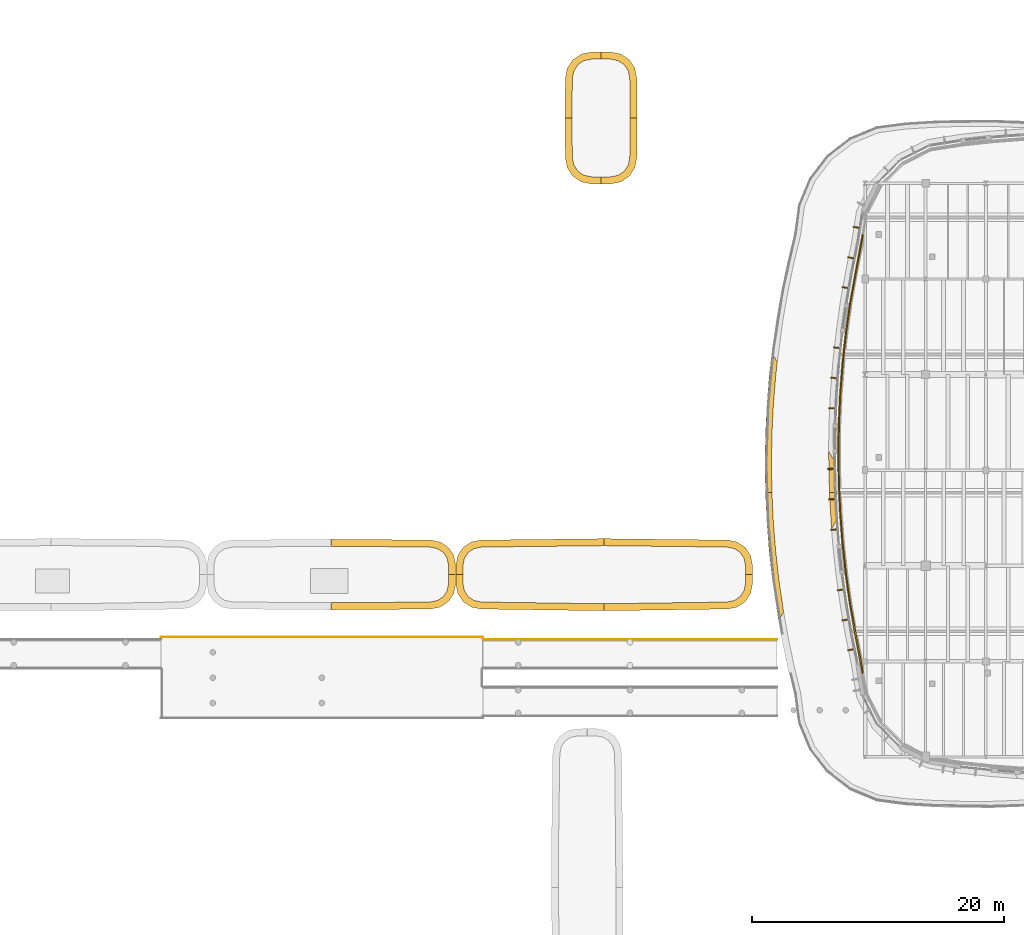
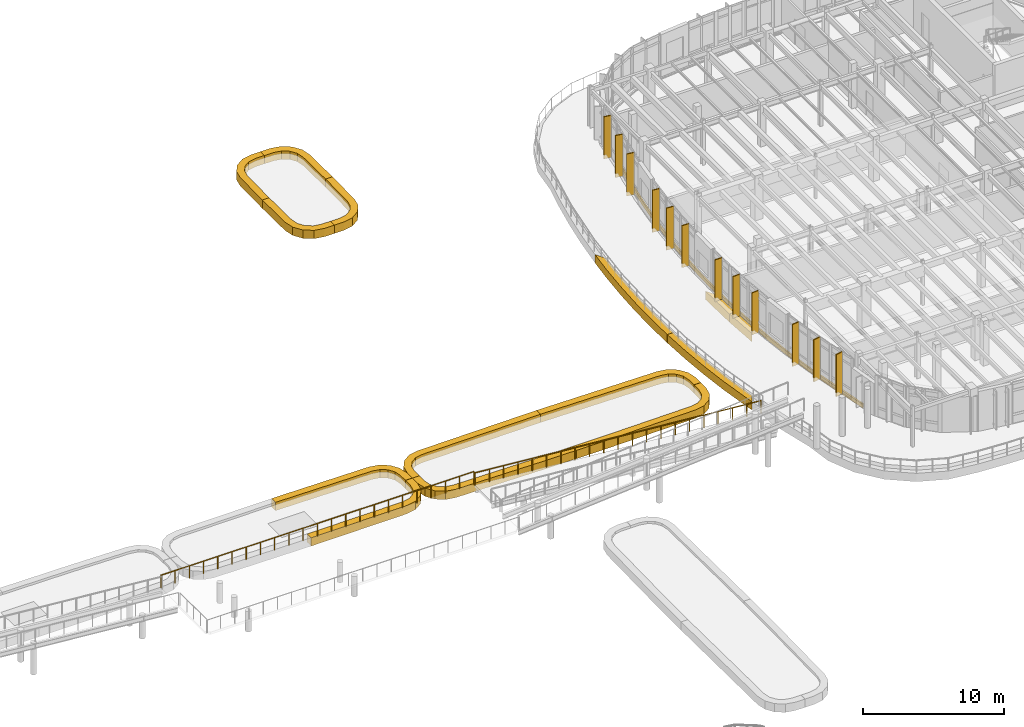
# One storey, part 106 of 111: 28 coverings, 2 railings.
"""IFC4 building model written with IfcOpenShell, lengths in metres."""

from ifc_helpers import new_model, si_unit, direction, frame, origin, origin_2d, place, context, subcontext, project, spatial, polyline, circle, outline, extrude, material, layer, layer_set, type_object, element, save


model = new_model("IFC4")

# Units and contexts
model_context = context("Model", 3, precision=1e-05, world=origin(), true_north=direction((0.0, 1.0)))
body_context = subcontext(model_context, "Body", "Model", "MODEL_VIEW")
ifc_project = project(units=[si_unit("LENGTHUNIT", "METRE"), si_unit("AREAUNIT", "SQUARE_METRE"), si_unit("VOLUMEUNIT", "CUBIC_METRE"), si_unit("PLANEANGLEUNIT", "RADIAN"), si_unit("MASSUNIT", "GRAM", prefix="KILO")], contexts=[model_context])

# Site, building, storey
site_placement = place(None, origin())
site = spatial("IfcSite", under=ifc_project, at=site_placement, CompositionType="ELEMENT")
building_placement = place(site_placement, origin())
building = spatial("IfcBuilding", under=site, at=building_placement, Name="Corveleigh Park Community Centre", CompositionType="ELEMENT")
storey_placement = place(building_placement, frame((0.0, 0.0, 4.800048828125)))
storey = spatial("IfcBuildingStorey", under=building, at=storey_placement, Name="L01", CompositionType="ELEMENT", Elevation=4.800048828125)

# Coverings
ifc_material_1 = material(Name="Warm buff ribbed architectural cladding", Category="masonry")
ifc_layer_1 = layer(ifc_material_1, 0.0849609375, Name="Warm buff ribbed architectural cladding", Category="masonry")
ifc_layer_set_1 = layer_set([ifc_layer_1], Name="Warm buff ribbed architectural cladding")
covering_type_1 = type_object("IfcCoveringType", Name="COV-CLD-BUF", PredefinedType="CLADDING", material=ifc_layer_set_1)
covering_1_placement = place(storey_placement, origin())
element("IfcCovering", 1, at=covering_1_placement, inside=storey, type_object=covering_type_1, Name="V4 L01 Brise-soleil blade 279", PredefinedType="CLADDING", context=body_context, shape_type="SweptSolid", body=[
    extrude(outline(polyline([(134.2119140625, 100.60791015625), (134.22509765625, 100.69189453125), (133.652099609375, 100.781982421875), (133.638916015625, 100.697998046875), (134.2119140625, 100.60791015625)])), origin(), (0.0, 0.0, 1.0), 3.636962890625),
])
covering_2_placement = place(storey_placement, origin())
element("IfcCovering", 2, at=covering_2_placement, inside=storey, type_object=covering_type_1, Name="V4 L01 Brise-soleil blade 280", PredefinedType="CLADDING", context=body_context, shape_type="SweptSolid", body=[
    extrude(outline(polyline([(133.77099609375, 98.176025390625), (133.7880859375, 98.259033203125), (133.218994140625, 98.375), (133.201904296875, 98.2919921875), (133.77099609375, 98.176025390625)])), origin(), (0.0, 0.0, 1.0), 3.636962890625),
])
covering_3_placement = place(storey_placement, origin())
element("IfcCovering", 3, at=covering_3_placement, inside=storey, type_object=covering_type_1, Name="V4 L01 Brise-soleil blade 281", PredefinedType="CLADDING", context=body_context, shape_type="SweptSolid", body=[
    extrude(outline(polyline([(133.327880859375, 95.81396484375), (133.342041015625, 95.89794921875), (132.77001953125, 95.99609375), (132.756103515625, 95.912109375), (133.327880859375, 95.81396484375)])), origin(), (0.0, 0.0, 1.0), 3.636962890625),
])
covering_4_placement = place(storey_placement, origin())
element("IfcCovering", 4, at=covering_4_placement, inside=storey, type_object=covering_type_1, Name="V4 L01 Brise-soleil blade 282", PredefinedType="CLADDING", context=body_context, shape_type="SweptSolid", body=[
    extrude(outline(polyline([(132.662109375, 91.053955078125), (132.6708984375, 91.137939453125), (132.094970703125, 91.200927734375), (132.0859375, 91.115966796875), (132.662109375, 91.053955078125)])), origin(), (0.0, 0.0, 1.0), 3.636962890625),
])
covering_5_placement = place(storey_placement, origin())
element("IfcCovering", 5, at=covering_5_placement, inside=storey, type_object=covering_type_1, Name="V4 L01 Brise-soleil blade 283", PredefinedType="CLADDING", context=body_context, shape_type="SweptSolid", body=[
    extrude(outline(polyline([(132.44091796875, 88.660888671875), (132.447021484375, 88.7451171875), (131.868896484375, 88.7900390625), (131.862060546875, 88.705078125), (132.44091796875, 88.660888671875)])), origin(), (0.0, 0.0, 1.0), 3.636962890625),
])
covering_6_placement = place(storey_placement, origin())
element("IfcCovering", 6, at=covering_6_placement, inside=storey, type_object=covering_type_1, Name="V4 L01 Brise-soleil blade 284", PredefinedType="CLADDING", context=body_context, shape_type="SweptSolid", body=[
    extrude(outline(polyline([(132.29296875, 86.261962890625), (132.297119140625, 86.346923828125), (131.718017578125, 86.3740234375), (131.714111328125, 86.2890625), (132.29296875, 86.261962890625)])), origin(), (0.0, 0.0, 1.0), 3.636962890625),
])
covering_7_placement = place(storey_placement, origin())
element("IfcCovering", 7, at=covering_7_placement, inside=storey, type_object=covering_type_1, Name="V4 L01 Brise-soleil blade 285", PredefinedType="CLADDING", context=body_context, shape_type="SweptSolid", body=[
    extrude(outline(polyline([(132.220947265625, 81.4560546875), (132.219970703125, 81.541015625), (131.639892578125, 81.531982421875), (131.64111328125, 81.447021484375), (132.220947265625, 81.4560546875)])), origin(), (0.0, 0.0, 1.0), 3.636962890625),
])
covering_8_placement = place(storey_placement, origin())
element("IfcCovering", 8, at=covering_8_placement, inside=storey, type_object=covering_type_1, Name="V4 L01 Brise-soleil blade 286", PredefinedType="CLADDING", context=body_context, shape_type="SweptSolid", body=[
    extrude(outline(polyline([(132.297119140625, 79.052978515625), (132.29296875, 79.137939453125), (131.714111328125, 79.111083984375), (131.718017578125, 79.02587890625), (132.297119140625, 79.052978515625)])), origin(), (0.0, 0.0, 1.0), 3.636962890625),
])
covering_9_placement = place(storey_placement, origin())
element("IfcCovering", 9, at=covering_9_placement, inside=storey, type_object=covering_type_1, Name="V4 L01 Brise-soleil blade 287", PredefinedType="CLADDING", context=body_context, shape_type="SweptSolid", body=[
    extrude(outline(polyline([(132.447021484375, 76.655029296875), (132.44091796875, 76.739013671875), (131.862060546875, 76.695068359375), (131.868896484375, 76.610107421875), (132.447021484375, 76.655029296875)])), origin(), (0.0, 0.0, 1.0), 3.636962890625),
])
covering_10_placement = place(storey_placement, origin())
element("IfcCovering", 10, at=covering_10_placement, inside=storey, type_object=covering_type_1, Name="V4 L01 Brise-soleil blade 288", PredefinedType="CLADDING", context=body_context, shape_type="SweptSolid", body=[
    extrude(outline(polyline([(132.969970703125, 71.876953125), (132.9580078125, 71.9609375), (132.383056640625, 71.8798828125), (132.39501953125, 71.7958984375), (132.969970703125, 71.876953125)])), origin(), (0.0, 0.0, 1.0), 3.636962890625),
])
covering_11_placement = place(storey_placement, origin())
element("IfcCovering", 11, at=covering_11_placement, inside=storey, type_object=covering_type_1, Name="V4 L01 Brise-soleil blade 289", PredefinedType="CLADDING", context=body_context, shape_type="SweptSolid", body=[
    extrude(outline(polyline([(133.342041015625, 69.501953125), (133.327880859375, 69.5859375), (132.756103515625, 69.488037109375), (132.77001953125, 69.404052734375), (133.342041015625, 69.501953125)])), origin(), (0.0, 0.0, 1.0), 3.636962890625),
])
covering_12_placement = place(storey_placement, origin())
element("IfcCovering", 12, at=covering_12_placement, inside=storey, type_object=covering_type_1, Name="V4 L01 Brise-soleil blade 290", PredefinedType="CLADDING", context=body_context, shape_type="SweptSolid", body=[
    extrude(outline(polyline([(133.7880859375, 67.14111328125), (133.77099609375, 67.22412109375), (133.201904296875, 67.10791015625), (133.218994140625, 67.02490234375), (133.7880859375, 67.14111328125)])), origin(), (0.0, 0.0, 1.0), 3.636962890625),
])
ifc_material_2 = material(Name="White architectural fascia cladding", Category="masonry")
ifc_layer_2 = layer(ifc_material_2, 0.074951171875, Name="White architectural fascia cladding", Category="masonry")
ifc_layer_set_2 = layer_set([ifc_layer_2], Name="White architectural fascia cladding")
covering_type_2 = type_object("IfcCoveringType", Name="COV-CLD-WHT", PredefinedType="CLADDING", material=ifc_layer_set_2)
covering_13_placement = place(storey_placement, frame((0.0, 0.0, -1.52001953125)))
element("IfcCovering", 13, at=covering_13_placement, inside=storey, type_object=covering_type_2, Name="Car Park Entrance Portal Canopy White Fascia 1", PredefinedType="CLADDING", context=body_context, shape_type="SweptSolid", body=[
    extrude(outline(polyline([(113.60302734375, 114.64208984375), (114.39208984375, 114.638916015625), (115.169921875, 114.48388671875), (115.837890625, 114.0380859375), (116.283935546875, 113.3701171875), (116.43994140625, 112.5849609375), (116.469970703125, 109.40087890625), (115.909912109375, 109.40087890625), (115.881103515625, 112.529052734375), (115.757080078125, 113.152099609375), (115.43505859375, 113.635009765625), (114.951904296875, 113.95703125), (114.33203125, 114.080078125), (113.60205078125, 114.08203125), (113.60302734375, 114.64208984375)])), origin(), (0.0, 0.0, 1.0), 0.719970703125),
])
covering_14_placement = place(storey_placement, frame((0.0, 0.0, -1.52001953125)))
element("IfcCovering", 14, at=covering_14_placement, inside=storey, type_object=covering_type_2, Name="Car Park Entrance Portal Canopy White Fascia 2", PredefinedType="CLADDING", context=body_context, shape_type="SweptSolid", body=[
    extrude(outline(polyline([(110.72998046875, 109.40087890625), (110.760986328125, 112.592041015625), (110.916015625, 113.3701171875), (111.35693359375, 114.031982421875), (112.037109375, 114.486083984375), (112.81591796875, 114.639892578125), (113.596923828125, 114.64208984375), (113.597900390625, 114.08203125), (112.867919921875, 114.080078125), (112.248046875, 113.95703125), (111.764892578125, 113.635009765625), (111.443115234375, 113.152099609375), (111.319091796875, 112.529052734375), (111.2900390625, 109.40087890625), (110.72998046875, 109.40087890625)])), origin(), (0.0, 0.0, 1.0), 0.719970703125),
])
covering_15_placement = place(storey_placement, frame((0.0, 0.0, -1.52001953125)))
element("IfcCovering", 15, at=covering_15_placement, inside=storey, type_object=covering_type_2, Name="Car Park Entrance Portal Canopy White Fascia 3", PredefinedType="CLADDING", context=body_context, shape_type="SweptSolid", body=[
    extrude(outline(polyline([(112.030029296875, 104.31591796875), (111.362060546875, 104.761962890625), (110.9140625, 105.43701171875), (110.760009765625, 106.215087890625), (110.72998046875, 109.39892578125), (111.2900390625, 109.39892578125), (111.319091796875, 106.27099609375), (111.443115234375, 105.64794921875), (111.764892578125, 105.1650390625), (112.248046875, 104.843017578125), (112.867919921875, 104.719970703125), (113.597900390625, 104.718017578125), (113.596923828125, 104.157958984375), (112.80810546875, 104.160888671875), (112.030029296875, 104.31591796875)])), origin(), (0.0, 0.0, 1.0), 0.719970703125),
])
covering_16_placement = place(storey_placement, frame((0.0, 0.0, -1.52001953125)))
element("IfcCovering", 16, at=covering_16_placement, inside=storey, type_object=covering_type_2, Name="Car Park Entrance Portal Canopy White Fascia 4", PredefinedType="CLADDING", context=body_context, shape_type="SweptSolid", body=[
    extrude(outline(polyline([(116.469970703125, 109.39892578125), (116.43896484375, 106.2080078125), (116.283935546875, 105.429931640625), (115.843017578125, 104.76806640625), (115.1630859375, 104.31396484375), (114.384033203125, 104.159912109375), (113.60302734375, 104.157958984375), (113.60205078125, 104.718017578125), (114.33203125, 104.719970703125), (114.951904296875, 104.843017578125), (115.43505859375, 105.1650390625), (115.757080078125, 105.64794921875), (115.881103515625, 106.27099609375), (115.909912109375, 109.39892578125), (116.469970703125, 109.39892578125)])), origin(), (0.0, 0.0, 1.0), 0.719970703125),
])
covering_17_placement = place(storey_placement, frame((0.0, 0.0, -0.52001953125)))
element("IfcCovering", 17, at=covering_17_placement, inside=storey, type_object=covering_type_2, Name="Covered Passage North Canopy Mid White Fascia 1", PredefinedType="CLADDING", context=body_context, shape_type="SweptSolid", body=[
    extrude(outline(polyline([(92.152099609375, 75.907958984375), (100.055908203125, 75.840087890625), (100.81494140625, 75.68896484375), (101.458984375, 75.259033203125), (101.888916015625, 74.614990234375), (102.0390625, 73.864013671875), (102.041015625, 73.10791015625), (101.48095703125, 73.10693359375), (101.47998046875, 73.803955078125), (101.362060546875, 74.39697265625), (101.055908203125, 74.85595703125), (100.596923828125, 75.162109375), (100.001953125, 75.281005859375), (92.152099609375, 75.347900390625), (92.152099609375, 75.907958984375)])), origin(), (0.0, 0.0, 1.0), 0.719970703125),
])
covering_18_placement = place(storey_placement, frame((0.0, 0.0, -0.52001953125)))
element("IfcCovering", 18, at=covering_18_placement, inside=storey, type_object=covering_type_2, Name="Covered Passage North Canopy Mid White Fascia 4", PredefinedType="CLADDING", context=body_context, shape_type="SweptSolid", body=[
    extrude(outline(polyline([(102.0400390625, 72.343994140625), (101.888916015625, 71.5849609375), (101.464111328125, 70.947021484375), (100.80810546875, 70.509033203125), (100.055908203125, 70.360107421875), (92.152099609375, 70.298095703125), (92.152099609375, 70.85791015625), (100.001953125, 70.9189453125), (100.596923828125, 71.0380859375), (101.055908203125, 71.343994140625), (101.362060546875, 71.802978515625), (101.47998046875, 72.39501953125), (101.48095703125, 73.097900390625), (102.041015625, 73.097900390625), (102.0400390625, 72.343994140625)])), origin(), (0.0, 0.0, 1.0), 0.719970703125),
])
covering_19_placement = place(storey_placement, frame((0.0, 0.0, -0.52001953125)))
element("IfcCovering", 19, at=covering_19_placement, inside=storey, type_object=covering_type_2, Name="Covered Passage North Canopy East White Fascia 1", PredefinedType="CLADDING", context=body_context, shape_type="SweptSolid", body=[
    extrude(outline(polyline([(123.656005859375, 75.840087890625), (124.4150390625, 75.68896484375), (125.06396484375, 75.2529296875), (125.490966796875, 74.60791015625), (125.638916015625, 73.864013671875), (125.639892578125, 73.10205078125), (125.080078125, 73.10107421875), (125.080078125, 73.804931640625), (124.9619140625, 74.39697265625), (124.656005859375, 74.85595703125), (124.197021484375, 75.162109375), (123.60205078125, 75.281005859375), (113.85107421875, 75.39208984375), (113.85107421875, 75.951904296875), (123.656005859375, 75.840087890625)])), origin(), (0.0, 0.0, 1.0), 0.719970703125),
])
covering_20_placement = place(storey_placement, frame((0.0, 0.0, -0.52001953125)))
element("IfcCovering", 20, at=covering_20_placement, inside=storey, type_object=covering_type_2, Name="Covered Passage North Canopy East White Fascia 2", PredefinedType="CLADDING", context=body_context, shape_type="SweptSolid", body=[
    extrude(outline(polyline([(102.06005859375, 73.85595703125), (102.2109375, 74.614990234375), (102.64111328125, 75.259033203125), (103.284912109375, 75.68896484375), (104.035888671875, 75.839111328125), (113.84912109375, 75.951904296875), (113.84912109375, 75.39208984375), (104.097900390625, 75.281005859375), (103.5029296875, 75.162109375), (103.0439453125, 74.85595703125), (102.738037109375, 74.39697265625), (102.6201171875, 73.804931640625), (102.6201171875, 73.10107421875), (102.06005859375, 73.10205078125), (102.06005859375, 73.85595703125)])), origin(), (0.0, 0.0, 1.0), 0.719970703125),
])
covering_21_placement = place(storey_placement, frame((0.0, 0.0, -0.52001953125)))
element("IfcCovering", 21, at=covering_21_placement, inside=storey, type_object=covering_type_2, Name="Covered Passage North Canopy East White Fascia 3", PredefinedType="CLADDING", context=body_context, shape_type="SweptSolid", body=[
    extrude(outline(polyline([(103.278076171875, 70.514892578125), (102.64111328125, 70.94091796875), (102.2109375, 71.5849609375), (102.06103515625, 72.3359375), (102.06005859375, 73.090087890625), (102.6201171875, 73.090087890625), (102.6201171875, 72.39501953125), (102.738037109375, 71.802978515625), (103.0439453125, 71.343994140625), (103.5029296875, 71.0380859375), (104.09912109375, 70.9189453125), (111.402099609375, 70.81494140625), (113.84912109375, 70.81494140625), (113.84912109375, 70.2548828125), (111.39697265625, 70.2548828125), (104.04296875, 70.360107421875), (103.278076171875, 70.514892578125)])), origin(), (0.0, 0.0, 1.0), 0.719970703125),
])
covering_22_placement = place(storey_placement, frame((0.0, 0.0, -0.52001953125)))
element("IfcCovering", 22, at=covering_22_placement, inside=storey, type_object=covering_type_2, Name="Covered Passage North Canopy East White Fascia 4", PredefinedType="CLADDING", context=body_context, shape_type="SweptSolid", body=[
    extrude(outline(polyline([(125.639892578125, 72.343994140625), (125.489013671875, 71.5849609375), (125.05908203125, 70.94091796875), (124.4150390625, 70.510986328125), (123.6640625, 70.361083984375), (116.302978515625, 70.2548828125), (113.85107421875, 70.2548828125), (113.85107421875, 70.81494140625), (116.298095703125, 70.81494140625), (123.60107421875, 70.9189453125), (124.197021484375, 71.0380859375), (124.656005859375, 71.343994140625), (124.9619140625, 71.802978515625), (125.080078125, 72.39501953125), (125.080078125, 73.090087890625), (125.639892578125, 73.090087890625), (125.639892578125, 72.343994140625)])), origin(), (0.0, 0.0, 1.0), 0.719970703125),
])
covering_23_placement = place(storey_placement, frame((0.0, 0.0, -0.679931640625)))
element("IfcCovering", 23, at=covering_23_placement, inside=storey, type_object=covering_type_2, Name="Step 1 Learning Garden Terrace Sweeping White Edge Band 3", PredefinedType="CLADDING", context=body_context, shape_type="SweptSolid", body=[
    extrude(outline(polyline([(126.631103515625, 81.89892578125), (126.66796875, 84.212890625), (126.778076171875, 86.52294921875), (126.9599609375, 88.8291015625), (127.173095703125, 90.739013671875), (127.612060546875, 89.97998046875), (127.47802734375, 88.781005859375), (127.297119140625, 86.490966796875), (127.18798828125, 84.197021484375), (127.15087890625, 81.89990234375), (127.18701171875, 79.6240234375), (126.6669921875, 79.625), (126.631103515625, 81.89892578125)])), origin(), (0.0, 0.0, 1.0), 0.719970703125),
])
covering_24_placement = place(storey_placement, frame((0.0, 0.0, -0.679931640625)))
element("IfcCovering", 24, at=covering_24_placement, inside=storey, type_object=covering_type_2, Name="Step 1 Learning Garden Terrace Sweeping White Edge Band 4", PredefinedType="CLADDING", context=body_context, shape_type="SweptSolid", body=[
    extrude(outline(polyline([(132.218017578125, 82.010986328125), (132.27490234375, 79.6220703125), (131.7548828125, 79.6220703125), (131.68994140625, 82.923095703125), (132.218017578125, 82.010986328125)])), origin(), (0.0, 0.0, 1.0), 0.719970703125),
])
covering_25_placement = place(storey_placement, frame((0.0, 0.0, -0.679931640625)))
element("IfcCovering", 25, at=covering_25_placement, inside=storey, type_object=covering_type_2, Name="Step 1 Learning Garden Terrace Sweeping White Edge Band 5", PredefinedType="CLADDING", context=body_context, shape_type="SweptSolid", body=[
    extrude(outline(polyline([(127.7109375, 69.43408203125), (127.216064453125, 72.672119140625), (126.9599609375, 74.970947265625), (126.778076171875, 77.277099609375), (126.66796875, 79.617919921875), (127.18798828125, 79.617919921875), (127.297119140625, 77.30908203125), (127.47802734375, 75.01904296875), (127.73193359375, 72.737060546875), (128.115966796875, 70.135009765625), (127.7109375, 69.43408203125)])), origin(), (0.0, 0.0, 1.0), 0.719970703125),
])
covering_26_placement = place(storey_placement, frame((0.0, 0.0, -0.679931640625)))
element("IfcCovering", 26, at=covering_26_placement, inside=storey, type_object=covering_type_2, Name="Step 1 Learning Garden Terrace Sweeping White Edge Band 6", PredefinedType="CLADDING", context=body_context, shape_type="SweptSolid", body=[
    extrude(outline(polyline([(132.27587890625, 79.62109375), (132.385009765625, 77.52099609375), (131.925048828125, 76.72509765625), (131.7548828125, 79.6201171875), (132.27587890625, 79.62109375)])), origin(), (0.0, 0.0, 1.0), 0.719970703125),
])
covering_27_placement = place(storey_placement, frame((0.0, 0.0, -0.300048828125)))
element("IfcCovering", 27, at=covering_27_placement, inside=storey, type_object=covering_type_2, Name="V4 L01 Horizontal Sun-Hood 4", PredefinedType="CLADDING", context=body_context, shape_type="SweptSolid", body=[
    extrude(outline(polyline([(132.4541015625, 85.096923828125), (132.56591796875, 87.491943359375), (132.7509765625, 89.881103515625), (133.010009765625, 92.263916015625), (133.343017578125, 94.638916015625), (134.360107421875, 100.172119140625), (134.4609375, 100.072021484375), (133.45703125, 94.62109375), (133.1240234375, 92.25), (132.865966796875, 89.87109375), (132.679931640625, 87.48388671875), (132.569091796875, 85.093017578125), (132.531982421875, 82.7099609375), (132.4169921875, 82.7099609375), (132.4541015625, 85.096923828125)])), origin(), (0.0, 0.0, 1.0), 0.340087890625),
])
covering_28_placement = place(storey_placement, frame((0.0, 0.0, -0.300048828125)))
element("IfcCovering", 28, at=covering_28_placement, inside=storey, type_object=covering_type_2, Name="V4 L01 Horizontal Sun-Hood 5", PredefinedType="CLADDING", context=body_context, shape_type="SweptSolid", body=[
    extrude(outline(polyline([(134.360107421875, 65.22802734375), (133.75, 68.39892578125), (133.343017578125, 70.761962890625), (133.010009765625, 73.135986328125), (132.7509765625, 75.51904296875), (132.56591796875, 77.907958984375), (132.4541015625, 80.303955078125), (132.4169921875, 82.68994140625), (132.531982421875, 82.68994140625), (132.569091796875, 80.306884765625), (132.679931640625, 77.916015625), (132.865966796875, 75.529052734375), (133.1240234375, 73.14990234375), (133.45703125, 70.779052734375), (134.4609375, 65.327880859375), (134.360107421875, 65.22802734375)])), origin(), (0.0, 0.0, 1.0), 0.340087890625),
])

# Railings
ifc_material_3 = material(Name="Stainless steel 316 balustrade", Category="steel")
railing_type = type_object("IfcRailingType", Name="RLG-BAL-EXT-1100", PredefinedType="BALUSTRADE", material=ifc_material_3)
railing_1_placement = place(storey_placement, frame((127.60009765625, 67.949951171875, 0.0)))
element("IfcRailing", 29, at=railing_1_placement, inside=storey, type_object=railing_type, Name="Courtyard West Roof Promenade Ramp Lower Guard R", PredefinedType="BALUSTRADE", context=body_context, shape_type="SweptSolid", body=[
    extrude(circle(Radius=0.02392578125, at=origin_2d()), frame((0.0, 0.0, 1.076171875), z_axis=(-0.996545973357, 0.0, 0.083042898465), x_axis=(0.0, -1.0, 0.0)), (0.0, 0.0, 1.0), 23.481201171875),
    extrude(circle(Radius=0.02099609375, at=origin_2d()), origin(), (0.0, 0.0, 1.0), 1.052001953125),
    extrude(circle(Radius=0.02099609375, at=origin_2d()), frame((-1.169921875, 0.0, 0.097412109375)), (0.0, 0.0, 1.0), 1.052001953125),
    extrude(circle(Radius=0.02099609375, at=origin_2d()), frame((-2.340087890625, 0.0, 0.195068359375)), (0.0, 0.0, 1.0), 1.052001953125),
    extrude(circle(Radius=0.02099609375, at=origin_2d()), frame((-3.510009765625, 0.0, 0.29248046875)), (0.0, 0.0, 1.0), 1.052001953125),
    extrude(circle(Radius=0.02099609375, at=origin_2d()), frame((-4.679931640625, 0.0, 0.389892578125)), (0.0, 0.0, 1.0), 1.052001953125),
    extrude(circle(Radius=0.02099609375, at=origin_2d()), frame((-5.85009765625, 0.0, 0.487548828125)), (0.0, 0.0, 1.0), 1.052001953125),
    extrude(circle(Radius=0.02099609375, at=origin_2d()), frame((-7.02001953125, 0.0, 0.5849609375)), (0.0, 0.0, 1.0), 1.052001953125),
    extrude(circle(Radius=0.02099609375, at=origin_2d()), frame((-8.18994140625, 0.0, 0.682373046875)), (0.0, 0.0, 1.0), 1.052001953125),
    extrude(circle(Radius=0.02099609375, at=origin_2d()), frame((-9.360107421875, 0.0, 0.780029296875)), (0.0, 0.0, 1.0), 1.052001953125),
    extrude(circle(Radius=0.02099609375, at=origin_2d()), frame((-10.530029296875, 0.0, 0.87744140625)), (0.0, 0.0, 1.0), 1.052001953125),
    extrude(circle(Radius=0.02099609375, at=origin_2d()), frame((-11.7001953125, 0.0, 0.97509765625)), (0.0, 0.0, 1.0), 1.052001953125),
    extrude(circle(Radius=0.02099609375, at=origin_2d()), frame((-12.8701171875, 0.0, 1.072509765625)), (0.0, 0.0, 1.0), 1.052001953125),
    extrude(circle(Radius=0.02099609375, at=origin_2d()), frame((-14.0400390625, 0.0, 1.169921875)), (0.0, 0.0, 1.0), 1.052001953125),
    extrude(circle(Radius=0.02099609375, at=origin_2d()), frame((-15.210205078125, 0.0, 1.267578125)), (0.0, 0.0, 1.0), 1.052001953125),
    extrude(circle(Radius=0.02099609375, at=origin_2d()), frame((-16.380126953125, 0.0, 1.364990234375)), (0.0, 0.0, 1.0), 1.052001953125),
    extrude(circle(Radius=0.02099609375, at=origin_2d()), frame((-17.550048828125, 0.0, 1.46240234375)), (0.0, 0.0, 1.0), 1.052001953125),
    extrude(circle(Radius=0.02099609375, at=origin_2d()), frame((-18.72021484375, 0.0, 1.56005859375)), (0.0, 0.0, 1.0), 1.052001953125),
    extrude(circle(Radius=0.02099609375, at=origin_2d()), frame((-19.89013671875, 0.0, 1.657470703125)), (0.0, 0.0, 1.0), 1.052001953125),
    extrude(circle(Radius=0.02099609375, at=origin_2d()), frame((-21.06005859375, 0.0, 1.7548828125)), (0.0, 0.0, 1.0), 1.052001953125),
    extrude(circle(Radius=0.02099609375, at=origin_2d()), frame((-22.230224609375, 0.0, 1.8525390625)), (0.0, 0.0, 1.0), 1.052001953125),
    extrude(circle(Radius=0.02099609375, at=origin_2d()), frame((-23.400146484375, 0.0, 1.949951171875)), (0.0, 0.0, 1.0), 1.052001953125),
])
railing_2_placement = place(storey_placement, frame((78.60009765625, 68.1201171875, 1.949951171875)))
element("IfcRailing", 30, at=railing_2_placement, inside=storey, type_object=railing_type, Name="Roof Promenade Bridge Guard RLG-PBRG-WM-N", PredefinedType="BALUSTRADE", context=body_context, shape_type="SweptSolid", body=[
    extrude(circle(Radius=0.02392578125, at=origin_2d()), frame((0.0, 0.0, 1.076171875), z_axis=(1.0, 0.0, 0.0), x_axis=(0.0, 1.0, 0.0)), (0.0, 0.0, 1.0), 25.599853515625),
    extrude(circle(Radius=0.02099609375, at=origin_2d()), origin(), (0.0, 0.0, 1.0), 1.052001953125),
    extrude(circle(Radius=0.02099609375, at=origin_2d()), frame((1.16357421875, 0.0, 0.0)), (0.0, 0.0, 1.0), 1.052001953125),
    extrude(circle(Radius=0.02099609375, at=origin_2d()), frame((2.3271484375, 0.0, 0.0)), (0.0, 0.0, 1.0), 1.052001953125),
    extrude(circle(Radius=0.02099609375, at=origin_2d()), frame((3.490966796875, 0.0, 0.0)), (0.0, 0.0, 1.0), 1.052001953125),
    extrude(circle(Radius=0.02099609375, at=origin_2d()), frame((4.654541015625, 0.0, 0.0)), (0.0, 0.0, 1.0), 1.052001953125),
    extrude(circle(Radius=0.02099609375, at=origin_2d()), frame((5.818115234375, 0.0, 0.0)), (0.0, 0.0, 1.0), 1.052001953125),
    extrude(circle(Radius=0.02099609375, at=origin_2d()), frame((6.981689453125, 0.0, 0.0)), (0.0, 0.0, 1.0), 1.052001953125),
    extrude(circle(Radius=0.02099609375, at=origin_2d()), frame((8.1455078125, 0.0, 0.0)), (0.0, 0.0, 1.0), 1.052001953125),
    extrude(circle(Radius=0.02099609375, at=origin_2d()), frame((9.30908203125, 0.0, 0.0)), (0.0, 0.0, 1.0), 1.052001953125),
    extrude(circle(Radius=0.02099609375, at=origin_2d()), frame((10.47265625, 0.0, 0.0)), (0.0, 0.0, 1.0), 1.052001953125),
    extrude(circle(Radius=0.02099609375, at=origin_2d()), frame((11.63623046875, 0.0, 0.0)), (0.0, 0.0, 1.0), 1.052001953125),
    extrude(circle(Radius=0.02099609375, at=origin_2d()), frame((12.7998046875, 0.0, 0.0)), (0.0, 0.0, 1.0), 1.052001953125),
    extrude(circle(Radius=0.02099609375, at=origin_2d()), frame((13.963623046875, 0.0, 0.0)), (0.0, 0.0, 1.0), 1.052001953125),
    extrude(circle(Radius=0.02099609375, at=origin_2d()), frame((15.127197265625, 0.0, 0.0)), (0.0, 0.0, 1.0), 1.052001953125),
    extrude(circle(Radius=0.02099609375, at=origin_2d()), frame((16.290771484375, 0.0, 0.0)), (0.0, 0.0, 1.0), 1.052001953125),
    extrude(circle(Radius=0.02099609375, at=origin_2d()), frame((17.454345703125, 0.0, 0.0)), (0.0, 0.0, 1.0), 1.052001953125),
    extrude(circle(Radius=0.02099609375, at=origin_2d()), frame((18.6181640625, 0.0, 0.0)), (0.0, 0.0, 1.0), 1.052001953125),
    extrude(circle(Radius=0.02099609375, at=origin_2d()), frame((19.78173828125, 0.0, 0.0)), (0.0, 0.0, 1.0), 1.052001953125),
    extrude(circle(Radius=0.02099609375, at=origin_2d()), frame((20.9453125, 0.0, 0.0)), (0.0, 0.0, 1.0), 1.052001953125),
    extrude(circle(Radius=0.02099609375, at=origin_2d()), frame((22.10888671875, 0.0, 0.0)), (0.0, 0.0, 1.0), 1.052001953125),
    extrude(circle(Radius=0.02099609375, at=origin_2d()), frame((23.272705078125, 0.0, 0.0)), (0.0, 0.0, 1.0), 1.052001953125),
    extrude(circle(Radius=0.02099609375, at=origin_2d()), frame((24.436279296875, 0.0, 0.0)), (0.0, 0.0, 1.0), 1.052001953125),
    extrude(circle(Radius=0.02099609375, at=origin_2d()), frame((25.599853515625, 0.0, 0.0)), (0.0, 0.0, 1.0), 1.052001953125),
])

save(model, "model.ifc")
